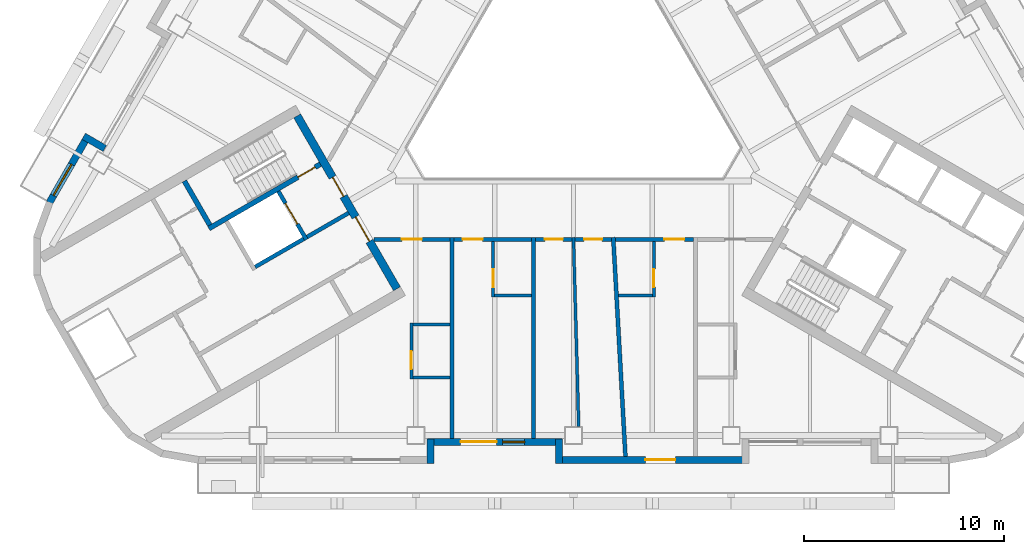
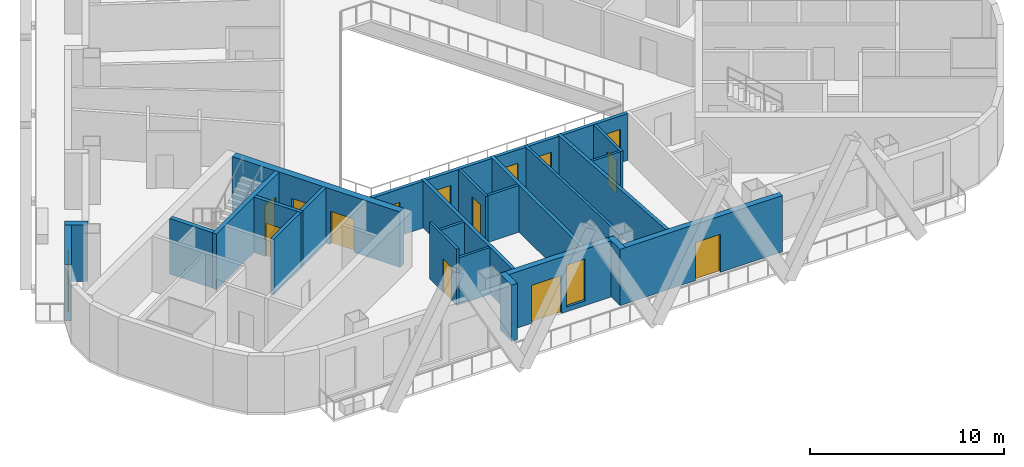
# One storey, part 3 of 14: 28 walls, 14 doors, 2 windows, 16 openings.
"""IFC4 building model written with IfcOpenShell, lengths in metres."""

from ifc_helpers import new_model, si_unit, direction, frame, frame_2d, origin, place, context, subcontext, project, spatial, rectangle, extrude, material, layer, layer_set, type_object, element, fill, save


model = new_model("IFC4")

# Units and contexts
model_context = context("Model", 3, precision=1e-05, world=origin(), true_north=direction((0.0, 1.0)))
body_context = subcontext(model_context, "Body", "Model", "MODEL_VIEW")
ifc_project = project(units=[si_unit("LENGTHUNIT", "METRE"), si_unit("AREAUNIT", "SQUARE_METRE"), si_unit("VOLUMEUNIT", "CUBIC_METRE"), si_unit("PLANEANGLEUNIT", "RADIAN"), si_unit("MASSUNIT", "GRAM", prefix="KILO")], contexts=[model_context])

# Site, building, storey
site_placement = place(None, origin())
site = spatial("IfcSite", under=ifc_project, at=site_placement, CompositionType="ELEMENT")
building_placement = place(site_placement, origin())
building = spatial("IfcBuilding", under=site, at=building_placement, Name="Apuvela Tower Hotel", CompositionType="ELEMENT")
storey_placement = place(building_placement, frame((0.0, 0.0, 90.89990234375)))
storey = spatial("IfcBuildingStorey", under=building, at=storey_placement, Name="L20", CompositionType="ELEMENT", Elevation=90.89990234375)

# Wall, openings, doors
ifc_material_1 = material(Name="Concrete C50/60", Category="concrete")
ifc_layer_1 = layer(ifc_material_1, 0.39990234375)
ifc_layer_set_1 = layer_set([ifc_layer_1], Name="COR-WALL-CORE-400")
wall_type_1 = type_object("IfcWallType", Name="COR-WALL-CORE-400", PredefinedType="SHEAR", material=ifc_layer_set_1)
wall_1_placement = place(storey_placement, frame((-13.844970703125, -2.219970703125, 0.0), z_axis=(0.0, 0.0, 1.0), x_axis=(0.500004234368, -0.866022959057, 0.0)))
wall_1 = element("IfcWall", 1, at=wall_1_placement, inside=storey, type_object=wall_type_1, Name="Core wall SW", PredefinedType="SHEAR", context=body_context, shape_type="SweptSolid", body=[
    extrude(rectangle(XDim=10.0, YDim=0.39990234375, at=frame_2d((5.0, 0.0))), origin(), (0.0, 0.0, 1.0), 3.5),
])
opening_1_placement = place(wall_1_placement, frame((3.550048828125, 0.0, 0.0)))
opening_1 = element("IfcOpeningElement", 2, at=opening_1_placement, cuts=wall_1, Name="Opening W-FD", PredefinedType="OPENING", context=body_context, shape_type="SweptSolid", body=[
    extrude(rectangle(XDim=1.10009765625, YDim=2.10009765625, at=frame_2d((0.550048828125, 1.050048828125))), frame((0.0, 0.2099609375, 0.0), z_axis=(0.0, -1.0, 0.0), x_axis=(1.0, 0.0, 0.0)), (0.0, 0.0, 1.0), 0.419921875),
])
opening_2_placement = place(wall_1_placement, frame((5.85009765625, 0.0, 0.0)))
opening_2 = element("IfcOpeningElement", 3, at=opening_2_placement, cuts=wall_1, Name="Opening W-GD", PredefinedType="OPENING", context=body_context, shape_type="SweptSolid", body=[
    extrude(rectangle(XDim=1.39990234375, YDim=2.10009765625, at=frame_2d((0.699951171875, 1.050048828125))), frame((0.0, 0.2099609375, 0.0), z_axis=(0.0, -1.0, 0.0), x_axis=(1.0, 0.0, 0.0)), (0.0, 0.0, 1.0), 0.419921875),
])
ifc_material_2 = material(Name="Steel fire door, powder coated", Category="steel")
door_type_1 = type_object("IfcDoorType", Name="COR-FD-1100", OperationType="NOTDEFINED", PredefinedType="DOOR", material=ifc_material_2)
door_1_placement = place(opening_1_placement, frame((1.10009765625, 0.0, 0.0), z_axis=(0.0, 0.0, 1.0), x_axis=(-1.0, 0.0, 0.0)))
door_1 = element("IfcDoor", 4, at=door_1_placement, inside=storey, type_object=door_type_1, Name="Firefighting lobby door W-FD", OperationType="SINGLE_SWING_LEFT", OverallHeight=2.10009765625, OverallWidth=1.10009765625, PredefinedType="DOOR", context=body_context, shape_type="SweptSolid", body=[
    extrude(rectangle(XDim=1.10009765625, YDim=2.10009765625, at=frame_2d((0.550048828125, 1.050048828125))), frame((0.0, 0.02490234375, 0.0), z_axis=(0.0, -1.0, 0.0), x_axis=(1.0, 0.0, 0.0)), (0.0, 0.0, 1.0), 0.050048828125),
])
fill(opening_1, door_1)
ifc_material_3 = material(Name="Glazed steel fire door", Category="steel")
door_type_2 = type_object("IfcDoorType", Name="COR-GD-1400", OperationType="DOUBLE_DOOR_SINGLE_SWING", PredefinedType="DOOR", material=ifc_material_3)
door_2_placement = place(opening_2_placement, frame((1.39990234375, 0.0, 0.0), z_axis=(0.0, 0.0, 1.0), x_axis=(-1.0, 0.0, 0.0)))
door_2 = element("IfcDoor", 5, at=door_2_placement, inside=storey, type_object=door_type_2, Name="Lift lobby door W-GD", OperationType="DOUBLE_DOOR_SINGLE_SWING", OverallHeight=2.10009765625, OverallWidth=1.39990234375, PredefinedType="DOOR", context=body_context, shape_type="SweptSolid", body=[
    extrude(rectangle(XDim=1.39990234375, YDim=2.10009765625, at=frame_2d((0.699951171875, 1.050048828125))), frame((0.0, 0.02490234375, 0.0), z_axis=(0.0, -1.0, 0.0), x_axis=(1.0, 0.0, 0.0)), (0.0, 0.0, 1.0), 0.050048828125),
])
fill(opening_2, door_2)

# Wall, opening, door
ifc_layer_2 = layer(ifc_material_1, 0.199951171875)
ifc_layer_set_2 = layer_set([ifc_layer_2], Name="COR-WALL-SHAFT-200")
wall_type_2 = type_object("IfcWallType", Name="COR-WALL-SHAFT-200", PredefinedType="SHEAR", material=ifc_layer_set_2)
wall_2_placement = place(storey_placement, frame((-14.783203125, -5.99462890625, 0.0), z_axis=(0.0, 0.0, 1.0), x_axis=(0.49994636267, -0.866056369097, 0.0)))
wall_2 = element("IfcWall", 6, at=wall_2_placement, inside=storey, type_object=wall_type_2, Name="Shaft wall SW", PredefinedType="SHEAR", context=body_context, shape_type="SweptSolid", body=[
    extrude(rectangle(XDim=2.800048828125, YDim=0.199951171875, at=frame_2d((1.39990234375, 0.0))), origin(), (0.0, 0.0, 1.0), 3.5),
])
opening_3_placement = place(wall_2_placement, frame((0.699951171875, 0.0, 0.0)))
opening_3 = element("IfcOpeningElement", 7, at=opening_3_placement, cuts=wall_2, Name="Opening W-LD-FS2", PredefinedType="OPENING", context=body_context, shape_type="SweptSolid", body=[
    extrude(rectangle(XDim=1.199951171875, YDim=2.10009765625, at=frame_2d((0.60009765625, 1.050048828125))), frame((0.0, 0.10986328125, 0.0), z_axis=(0.0, -1.0, 0.0), x_axis=(1.0, 0.0, 0.0)), (0.0, 0.0, 1.0), 0.219970703125),
])
ifc_material_4 = material(Name="Stainless steel lift landing door", Category="steel")
door_type_3 = type_object("IfcDoorType", Name="COR-LD-1200", OperationType="DOUBLE_DOOR_SLIDING", PredefinedType="DOOR", material=ifc_material_4)
door_3_placement = place(opening_3_placement, origin())
door_3 = element("IfcDoor", 8, at=door_3_placement, inside=storey, type_object=door_type_3, Name="Lift landing door W-LD-FS2", OperationType="DOUBLE_DOOR_SLIDING", OverallHeight=2.10009765625, OverallWidth=1.199951171875, PredefinedType="DOOR", context=body_context, shape_type="SweptSolid", body=[
    extrude(rectangle(XDim=1.199951171875, YDim=2.10009765625, at=frame_2d((0.60009765625, 1.050048828125))), frame((0.0, 0.02490234375, 0.0), z_axis=(0.0, -1.0, 0.0), x_axis=(1.0, 0.0, 0.0)), (0.0, 0.0, 1.0), 0.050048828125),
])
fill(opening_3, door_3)

# Walls
wall_3_placement = place(storey_placement, frame((-13.519775390625, -8.383056640625, 0.0), z_axis=(0.0, 0.0, 1.0), x_axis=(-0.866034573852, -0.49998411664, 0.0)))
element("IfcWall", 9, at=wall_3_placement, inside=storey, type_object=wall_type_2, Name="Shaft wall SW", PredefinedType="SHEAR", context=body_context, shape_type="SweptSolid", body=[
    extrude(rectangle(XDim=2.7998046875, YDim=0.199951171875, at=frame_2d((1.39990234375, 0.0))), origin(), (0.0, 0.0, 1.0), 3.5),
])
wall_4_placement = place(storey_placement, frame((-11.26806640625, -7.0830078125, 0.0), z_axis=(0.0, 0.0, 1.0), x_axis=(-0.866050077142, -0.499957262057, 0.0)))
element("IfcWall", 10, at=wall_4_placement, inside=storey, type_object=wall_type_2, Name="Shaft wall SW", PredefinedType="SHEAR", context=body_context, shape_type="SweptSolid", body=[
    extrude(rectangle(XDim=2.400146484375, YDim=0.199951171875, at=frame_2d((1.2001953125, 0.0))), origin(), (0.0, 0.0, 1.0), 3.5),
])

# Wall, opening, door
ifc_layer_3 = layer(ifc_material_1, 0.25)
ifc_layer_set_3 = layer_set([ifc_layer_3], Name="COR-WALL-STAIR-250")
wall_type_3 = type_object("IfcWallType", Name="COR-WALL-STAIR-250", PredefinedType="SHEAR", material=ifc_layer_set_3)
wall_5_placement = place(storey_placement, frame((-12.6806640625, -4.636474609375, 0.0), z_axis=(0.0, 0.0, 1.0), x_axis=(-0.866021702275, -0.500006411147, 0.0)))
wall_5 = element("IfcWall", 11, at=wall_5_placement, inside=storey, type_object=wall_type_3, Name="Stair wall SW", PredefinedType="SHEAR", context=body_context, shape_type="SweptSolid", body=[
    extrude(rectangle(XDim=6.4501953125, YDim=0.25, at=frame_2d((3.22509765625, 0.0))), origin(), (0.0, 0.0, 1.0), 3.5),
])
opening_4_placement = place(wall_5_placement, frame((0.300048828125, 0.0, 0.0)))
opening_4 = element("IfcOpeningElement", 12, at=opening_4_placement, cuts=wall_5, Name="Opening W-SD", PredefinedType="OPENING", context=body_context, shape_type="SweptSolid", body=[
    extrude(rectangle(XDim=1.0, YDim=2.10009765625, at=frame_2d((0.5, 1.050048828125))), frame((0.0, 0.135009765625, 0.0), z_axis=(0.0, -1.0, 0.0), x_axis=(1.0, 0.0, 0.0)), (0.0, 0.0, 1.0), 0.27001953125),
])
door_type_4 = type_object("IfcDoorType", Name="COR-SD-1000", OperationType="NOTDEFINED", PredefinedType="DOOR", material=ifc_material_2)
door_4_placement = place(opening_4_placement, frame((1.0, 0.0, 0.0), z_axis=(0.0, 0.0, 1.0), x_axis=(-1.0, 0.0, 0.0)))
door_4 = element("IfcDoor", 13, at=door_4_placement, inside=storey, type_object=door_type_4, Name="Stair door W-SD", OperationType="SINGLE_SWING_LEFT", OverallHeight=2.10009765625, OverallWidth=1.0, PredefinedType="DOOR", context=body_context, shape_type="SweptSolid", body=[
    extrude(rectangle(XDim=1.0, YDim=2.10009765625, at=frame_2d((0.5, 1.050048828125))), frame((0.0, 0.02490234375, 0.0), z_axis=(0.0, -1.0, 0.0), x_axis=(1.0, 0.0, 0.0)), (0.0, 0.0, 1.0), 0.050048828125),
])
fill(opening_4, door_4)

# Walls
wall_6_placement = place(storey_placement, frame((-19.49560546875, -5.482421875, 0.0), z_axis=(0.0, 0.0, 1.0), x_axis=(0.499990435942, -0.866030925526, 0.0)))
element("IfcWall", 14, at=wall_6_placement, inside=storey, type_object=wall_type_3, Name="Stair wall SW", PredefinedType="SHEAR", context=body_context, shape_type="SweptSolid", body=[
    extrude(rectangle(XDim=2.5498046875, YDim=0.25, at=frame_2d((1.27490234375, 0.0))), origin(), (0.0, 0.0, 1.0), 3.5),
])
ifc_material_5 = material(Name="Concrete C40/50, dark pigmented precast panel", Category="concrete")
ifc_layer_4 = layer(ifc_material_5, 0.35009765625)
ifc_layer_set_4 = layer_set([ifc_layer_4], Name="ENV-WALL-350")
wall_type_4 = type_object("IfcWallType", Name="ENV-WALL-350", PredefinedType="SOLIDWALL", material=ifc_layer_set_4)
wall_7_placement = place(storey_placement, frame((-23.48095703125, -3.85009765625, 0.0), z_axis=(0.0, 0.0, 1.0), x_axis=(-0.866092288191, 0.499884134912, 0.0)))
element("IfcWall", 15, at=wall_7_placement, inside=storey, type_object=wall_type_4, Name="External wall L20-08", PredefinedType="SOLIDWALL", context=body_context, shape_type="SweptSolid", body=[
    extrude(rectangle(XDim=1.219970703125, YDim=0.35009765625, at=frame_2d((0.60986328125, 0.0))), origin(), (0.0, 0.0, 1.0), 3.550048828125),
])

# Wall, opening, window
wall_8_placement = place(storey_placement, frame((-24.298583984375, -3.17626953125, 0.0), z_axis=(0.0, 0.0, 1.0), x_axis=(-0.500028278809, -0.866009076391, 0.0)))
wall_8 = element("IfcWall", 16, at=wall_8_placement, inside=storey, type_object=wall_type_4, Name="External wall L20-09", PredefinedType="SOLIDWALL", context=body_context, shape_type="SweptSolid", body=[
    extrude(rectangle(XDim=3.915771484375, YDim=0.35009765625, at=frame_2d((1.9580078125, 0.0))), origin(), (0.0, 0.0, 1.0), 3.550048828125),
])
opening_5_placement = place(wall_8_placement, frame((1.699951171875, 0.0, 0.300048828125)))
opening_5 = element("IfcOpeningElement", 17, at=opening_5_placement, cuts=wall_8, Name="Opening WN18", PredefinedType="OPENING", context=body_context, shape_type="SweptSolid", body=[
    extrude(rectangle(XDim=1.800048828125, YDim=2.64990234375, at=frame_2d((0.89990234375, 1.324951171875))), frame((0.0, 0.18505859375, 0.0), z_axis=(0.0, -1.0, 0.0), x_axis=(1.0, 0.0, 0.0)), (0.0, 0.0, 1.0), 0.3701171875),
])
ifc_material_6 = material(Name="Glass, dark tinted laminated insulated glazing unit", Category="glass")
window_type_1 = type_object("IfcWindowType", Name="ENV-WIN-1800x2650", PartitioningType="SINGLE_PANEL", PredefinedType="WINDOW", material=ifc_material_6)
window_1_placement = place(opening_5_placement, origin())
window_1 = element("IfcWindow", 18, at=window_1_placement, inside=storey, type_object=window_type_1, Name="Window WN18", OverallHeight=2.64990234375, OverallWidth=1.800048828125, PartitioningType="SINGLE_PANEL", PredefinedType="WINDOW", context=body_context, shape_type="SweptSolid", body=[
    extrude(rectangle(XDim=1.800048828125, YDim=2.64990234375, at=frame_2d((0.89990234375, 1.324951171875))), frame((0.0, 0.030029296875, 0.0), z_axis=(0.0, -1.0, 0.0), x_axis=(1.0, 0.0, 0.0)), (0.0, 0.0, 1.0), 0.06005859375),
])
fill(opening_5, window_1)

# Wall
wall_9_placement = place(storey_placement, frame((-7.175048828125, -19.6298828125, 0.0), z_axis=(0.0, 0.0, 1.0), x_axis=(0.0, 1.0, 0.0)))
element("IfcWall", 19, at=wall_9_placement, inside=storey, type_object=wall_type_4, Name="External wall L20-18", PredefinedType="SOLIDWALL", context=body_context, shape_type="SweptSolid", body=[
    extrude(rectangle(XDim=1.219970703125, YDim=0.35009765625, at=frame_2d((0.60986328125, 0.0))), origin(), (0.0, 0.0, 1.0), 3.550048828125),
])

# Wall, openings, door, window
wall_10_placement = place(storey_placement, frame((-7.320068359375, -18.554931640625, 0.0), z_axis=(0.0, 0.0, 1.0), x_axis=(1.0, 0.0, 0.0)))
wall_10 = element("IfcWall", 20, at=wall_10_placement, inside=storey, type_object=wall_type_4, Name="External wall L20-19", PredefinedType="SOLIDWALL", context=body_context, shape_type="SweptSolid", body=[
    extrude(rectangle(XDim=6.739990234375, YDim=0.35009765625, at=frame_2d((3.3701171875, 0.0))), origin(), (0.0, 0.0, 1.0), 3.550048828125),
])
opening_6_placement = place(wall_10_placement, frame((1.669921875, 0.0, 0.0)))
opening_6 = element("IfcOpeningElement", 21, at=opening_6_placement, cuts=wall_10, Name="Opening BD18", PredefinedType="OPENING", context=body_context, shape_type="SweptSolid", body=[
    extrude(rectangle(XDim=1.800048828125, YDim=2.39990234375, at=frame_2d((0.89990234375, 1.199951171875))), frame((0.0, 0.18505859375, 0.0), z_axis=(0.0, -1.0, 0.0), x_axis=(1.0, 0.0, 0.0)), (0.0, 0.0, 1.0), 0.3701171875),
])
opening_7_placement = place(wall_10_placement, frame((3.77001953125, 0.0, 0.300048828125)))
opening_7 = element("IfcOpeningElement", 22, at=opening_7_placement, cuts=wall_10, Name="Opening WN11", PredefinedType="OPENING", context=body_context, shape_type="SweptSolid", body=[
    extrude(rectangle(XDim=1.10009765625, YDim=2.64990234375, at=frame_2d((0.550048828125, 1.324951171875))), frame((0.0, 0.18505859375, 0.0), z_axis=(0.0, -1.0, 0.0), x_axis=(1.0, 0.0, 0.0)), (0.0, 0.0, 1.0), 0.3701171875),
])
ifc_material_7 = material(Name="Aluminium 6063-T6, dark bronze anodised frame with dark tinted laminated glass", Category="aluminium")
door_type_5 = type_object("IfcDoorType", Name="ENV-DOOR-BALCONY-1800x2400", OperationType="SLIDING_TO_LEFT", PredefinedType="DOOR", material=ifc_material_7)
door_5_placement = place(opening_6_placement, frame((1.800048828125, 0.0, 0.0), z_axis=(0.0, 0.0, 1.0), x_axis=(-1.0, 0.0, 0.0)))
door_5 = element("IfcDoor", 23, at=door_5_placement, inside=storey, type_object=door_type_5, Name="Balcony door BD18", OperationType="SLIDING_TO_LEFT", OverallHeight=2.39990234375, OverallWidth=1.800048828125, PredefinedType="DOOR", context=body_context, shape_type="SweptSolid", body=[
    extrude(rectangle(XDim=1.800048828125, YDim=2.39990234375, at=frame_2d((0.89990234375, 1.199951171875))), frame((0.0, 0.02490234375, 0.0), z_axis=(0.0, -1.0, 0.0), x_axis=(1.0, 0.0, 0.0)), (0.0, 0.0, 1.0), 0.050048828125),
])
fill(opening_6, door_5)
window_type_2 = type_object("IfcWindowType", Name="ENV-WIN-1100x2650", PartitioningType="SINGLE_PANEL", PredefinedType="WINDOW", material=ifc_material_6)
window_2_placement = place(opening_7_placement, origin())
window_2 = element("IfcWindow", 24, at=window_2_placement, inside=storey, type_object=window_type_2, Name="Window WN11", OverallHeight=2.64990234375, OverallWidth=1.10009765625, PartitioningType="SINGLE_PANEL", PredefinedType="WINDOW", context=body_context, shape_type="SweptSolid", body=[
    extrude(rectangle(XDim=1.10009765625, YDim=2.64990234375, at=frame_2d((0.550048828125, 1.324951171875))), frame((0.0, 0.030029296875, 0.0), z_axis=(0.0, -1.0, 0.0), x_axis=(1.0, 0.0, 0.0)), (0.0, 0.0, 1.0), 0.06005859375),
])
fill(opening_7, window_2)

# Wall
wall_11_placement = place(storey_placement, frame((-0.72509765625, -18.409912109375, 0.0), z_axis=(0.0, 0.0, 1.0), x_axis=(0.0, -1.0, 0.0)))
element("IfcWall", 25, at=wall_11_placement, inside=storey, type_object=wall_type_4, Name="External wall L20-20", PredefinedType="SOLIDWALL", context=body_context, shape_type="SweptSolid", body=[
    extrude(rectangle(XDim=1.219970703125, YDim=0.35009765625, at=frame_2d((0.60986328125, 0.0))), origin(), (0.0, 0.0, 1.0), 3.550048828125),
])

# Wall, opening, door
wall_12_placement = place(storey_placement, frame((-0.89990234375, -19.455078125, 0.0), z_axis=(0.0, 0.0, 1.0), x_axis=(1.0, 0.0, 0.0)))
wall_12 = element("IfcWall", 26, at=wall_12_placement, inside=storey, type_object=wall_type_4, Name="External wall L20-21", PredefinedType="SOLIDWALL", context=body_context, shape_type="SweptSolid", body=[
    extrude(rectangle(XDim=9.699951171875, YDim=0.35009765625, at=frame_2d((4.85009765625, 0.0))), origin(), (0.0, 0.0, 1.0), 3.550048828125),
])
opening_8_placement = place(wall_12_placement, frame((4.5, 0.0, 0.0)))
opening_8 = element("IfcOpeningElement", 27, at=opening_8_placement, cuts=wall_12, Name="Opening BD15", PredefinedType="OPENING", context=body_context, shape_type="SweptSolid", body=[
    extrude(rectangle(XDim=1.5, YDim=2.39990234375, at=frame_2d((0.75, 1.199951171875))), frame((0.0, 0.18505859375, 0.0), z_axis=(0.0, -1.0, 0.0), x_axis=(1.0, 0.0, 0.0)), (0.0, 0.0, 1.0), 0.3701171875),
])
door_type_6 = type_object("IfcDoorType", Name="ENV-DOOR-BALCONY-1500x2400", OperationType="SLIDING_TO_LEFT", PredefinedType="DOOR", material=ifc_material_7)
door_6_placement = place(opening_8_placement, frame((1.5, 0.0, 0.0), z_axis=(0.0, 0.0, 1.0), x_axis=(-1.0, 0.0, 0.0)))
door_6 = element("IfcDoor", 28, at=door_6_placement, inside=storey, type_object=door_type_6, Name="Balcony door BD15", OperationType="SLIDING_TO_LEFT", OverallHeight=2.39990234375, OverallWidth=1.5, PredefinedType="DOOR", context=body_context, shape_type="SweptSolid", body=[
    extrude(rectangle(XDim=1.5, YDim=2.39990234375, at=frame_2d((0.75, 1.199951171875))), frame((0.0, 0.02490234375, 0.0), z_axis=(0.0, -1.0, 0.0), x_axis=(1.0, 0.0, 0.0)), (0.0, 0.0, 1.0), 0.050048828125),
])
fill(opening_8, door_6)

# Walls
ifc_material_8 = material(Name="Gypsum board partition on twin steel stud", Category="steel")
ifc_layer_5 = layer(ifc_material_8, 0.199951171875)
ifc_layer_set_5 = layer_set([ifc_layer_5], Name="GST-PW1")
wall_type_5 = type_object("IfcWallType", Name="GST-PW1", PredefinedType="PARTITIONING", material=ifc_layer_set_5)
for number, where, z_axis, x_axis, name in (
    (29, (-6.10009765625, -18.3798828125, 0.0), (0.0, 0.0, 1.0), (0.0, 1.0, 0.0), "L20 partition 01"),
    (30, (-2.0, -18.3798828125, 0.0), (0.0, 0.0, 1.0), (0.0, 1.0, 0.0), "L20 partition 02"),
):
    element("IfcWall", number, at=place(storey_placement, frame(where, z_axis=z_axis, x_axis=x_axis)), inside=storey, type_object=wall_type_5, Name=name, PredefinedType="PARTITIONING", context=body_context, shape_type="SweptSolid", body=[
        extrude(rectangle(XDim=10.079833984375, YDim=0.199951171875, at=frame_2d((5.0400390625, 0.0))), origin(), (0.0, 0.0, 1.0), 2.960205078125),
    ])
wall_13_placement = place(storey_placement, frame((2.60009765625, -19.280029296875, 0.0), z_axis=(0.0, 0.0, 1.0), x_axis=(-0.055568385591, 0.998454883569, 0.0)))
element("IfcWall", 31, at=wall_13_placement, inside=storey, type_object=wall_type_5, Name="L20 partition 03", PredefinedType="PARTITIONING", context=body_context, shape_type="SweptSolid", body=[
    extrude(rectangle(XDim=10.9970703125, YDim=0.199951171875, at=frame_2d((5.49853515625, 0.0))), origin(), (0.0, 0.0, 1.0), 2.960205078125),
])

# Wall, opening, door
ifc_material_9 = material(Name="Gypsum board corridor wall on twin steel stud, acoustic", Category="steel")
ifc_layer_6 = layer(ifc_material_9, 0.199951171875)
ifc_layer_set_6 = layer_set([ifc_layer_6], Name="GST-PW2")
wall_type_6 = type_object("IfcWallType", Name="GST-PW2", PredefinedType="PARTITIONING", material=ifc_layer_set_6)
wall_14_placement = place(storey_placement, frame((-6.199951171875, -8.39990234375, 0.0), z_axis=(0.0, 0.0, 1.0), x_axis=(-1.0, 0.0, 0.0)))
wall_14 = element("IfcWall", 32, at=wall_14_placement, inside=storey, type_object=wall_type_6, Name="L20 partition 11", PredefinedType="PARTITIONING", context=body_context, shape_type="SweptSolid", body=[
    extrude(rectangle(XDim=3.788330078125, YDim=0.199951171875, at=frame_2d((1.89404296875, 0.0))), origin(), (0.0, 0.0, 1.0), 2.9501953125),
])
opening_9_placement = place(wall_14_placement, frame((1.39404296875, 0.0, 0.0)))
opening_9 = element("IfcOpeningElement", 33, at=opening_9_placement, cuts=wall_14, Name="Opening GD06-02", PredefinedType="OPENING", context=body_context, shape_type="SweptSolid", body=[
    extrude(rectangle(XDim=1.0, YDim=2.10009765625, at=frame_2d((0.5, 1.050048828125))), frame((0.0, 0.10986328125, 0.0), z_axis=(0.0, -1.0, 0.0), x_axis=(1.0, 0.0, 0.0)), (0.0, 0.0, 1.0), 0.219970703125),
])
ifc_material_10 = material(Name="Timber door leaf in steel frame", Category="steel")
door_type_7 = type_object("IfcDoorType", Name="GST-D1", OperationType="NOTDEFINED", PredefinedType="DOOR", material=ifc_material_10)
door_7_placement = place(opening_9_placement, origin())
door_7 = element("IfcDoor", 34, at=door_7_placement, inside=storey, type_object=door_type_7, Name="Door L20-02", OperationType="SINGLE_SWING_LEFT", OverallHeight=2.10009765625, OverallWidth=1.0, PredefinedType="DOOR", context=body_context, shape_type="SweptSolid", body=[
    extrude(rectangle(XDim=1.0, YDim=2.10009765625, at=frame_2d((0.5, 1.050048828125))), frame((0.0, 0.02490234375, 0.0), z_axis=(0.0, -1.0, 0.0), x_axis=(1.0, 0.0, 0.0)), (0.0, 0.0, 1.0), 0.050048828125),
])
fill(opening_9, door_7)

wall_15_placement = place(storey_placement, frame((-2.10009765625, -8.39990234375, 0.0), z_axis=(0.0, 0.0, 1.0), x_axis=(-1.0, 0.0, 0.0)))
wall_15 = element("IfcWall", 35, at=wall_15_placement, inside=storey, type_object=wall_type_6, Name="L20 partition 15", PredefinedType="PARTITIONING", context=body_context, shape_type="SweptSolid", body=[
    extrude(rectangle(XDim=3.89990234375, YDim=0.199951171875, at=frame_2d((1.949951171875, 0.0))), origin(), (0.0, 0.0, 1.0), 2.9501953125),
])
opening_10_placement = place(wall_15_placement, frame((2.449951171875, 0.0, 0.0)))
opening_10 = element("IfcOpeningElement", 36, at=opening_10_placement, cuts=wall_15, Name="Opening GD06-04", PredefinedType="OPENING", context=body_context, shape_type="SweptSolid", body=[
    extrude(rectangle(XDim=1.0, YDim=2.10009765625, at=frame_2d((0.5, 1.050048828125))), frame((0.0, 0.10986328125, 0.0), z_axis=(0.0, -1.0, 0.0), x_axis=(1.0, 0.0, 0.0)), (0.0, 0.0, 1.0), 0.219970703125),
])
door_8_placement = place(opening_10_placement, origin())
door_8 = element("IfcDoor", 37, at=door_8_placement, inside=storey, type_object=door_type_7, Name="Door L20-04", OperationType="SINGLE_SWING_RIGHT", OverallHeight=2.10009765625, OverallWidth=1.0, PredefinedType="DOOR", context=body_context, shape_type="SweptSolid", body=[
    extrude(rectangle(XDim=1.0, YDim=2.10009765625, at=frame_2d((0.5, 1.050048828125))), frame((0.0, 0.02490234375, 0.0), z_axis=(0.0, -1.0, 0.0), x_axis=(1.0, 0.0, 0.0)), (0.0, 0.0, 1.0), 0.050048828125),
])
fill(opening_10, door_8)

wall_16_placement = place(storey_placement, frame((-0.077880859375, -8.39990234375, 0.0), z_axis=(0.0, 0.0, 1.0), x_axis=(-1.0, 0.0, 0.0)))
wall_16 = element("IfcWall", 38, at=wall_16_placement, inside=storey, type_object=wall_type_6, Name="L20 partition 19", PredefinedType="PARTITIONING", context=body_context, shape_type="SweptSolid", body=[
    extrude(rectangle(XDim=1.822021484375, YDim=0.199951171875, at=frame_2d((0.9111328125, 0.0))), origin(), (0.0, 0.0, 1.0), 2.9501953125),
])
opening_11_placement = place(wall_16_placement, frame((0.461181640625, 0.0, 0.0)))
opening_11 = element("IfcOpeningElement", 39, at=opening_11_placement, cuts=wall_16, Name="Opening GD06-05", PredefinedType="OPENING", context=body_context, shape_type="SweptSolid", body=[
    extrude(rectangle(XDim=0.89990234375, YDim=2.10009765625, at=frame_2d((0.449951171875, 1.050048828125))), frame((0.0, 0.10986328125, 0.0), z_axis=(0.0, -1.0, 0.0), x_axis=(1.0, 0.0, 0.0)), (0.0, 0.0, 1.0), 0.219970703125),
])
door_type_8 = type_object("IfcDoorType", Name="GST-D2", OperationType="NOTDEFINED", PredefinedType="DOOR", material=ifc_material_10)
door_9_placement = place(opening_11_placement, origin())
door_9 = element("IfcDoor", 40, at=door_9_placement, inside=storey, type_object=door_type_8, Name="Door L20-05", OperationType="SINGLE_SWING_LEFT", OverallHeight=2.10009765625, OverallWidth=0.89990234375, PredefinedType="DOOR", context=body_context, shape_type="SweptSolid", body=[
    extrude(rectangle(XDim=0.89990234375, YDim=2.10009765625, at=frame_2d((0.449951171875, 1.050048828125))), frame((0.0, 0.02490234375, 0.0), z_axis=(0.0, -1.0, 0.0), x_axis=(1.0, 0.0, 0.0)), (0.0, 0.0, 1.0), 0.050048828125),
])
fill(opening_11, door_9)

wall_17_placement = place(storey_placement, frame((1.894287109375, -8.39990234375, 0.0), z_axis=(0.0, 0.0, 1.0), x_axis=(-1.0, 0.0, 0.0)))
wall_17 = element("IfcWall", 41, at=wall_17_placement, inside=storey, type_object=wall_type_6, Name="L20 partition 20", PredefinedType="PARTITIONING", context=body_context, shape_type="SweptSolid", body=[
    extrude(rectangle(XDim=1.822021484375, YDim=0.199951171875, at=frame_2d((0.9111328125, 0.0))), origin(), (0.0, 0.0, 1.0), 2.9501953125),
])
opening_12_placement = place(wall_17_placement, frame((0.461181640625, 0.0, 0.0)))
opening_12 = element("IfcOpeningElement", 42, at=opening_12_placement, cuts=wall_17, Name="Opening GD06-06", PredefinedType="OPENING", context=body_context, shape_type="SweptSolid", body=[
    extrude(rectangle(XDim=0.89990234375, YDim=2.10009765625, at=frame_2d((0.449951171875, 1.050048828125))), frame((0.0, 0.10986328125, 0.0), z_axis=(0.0, -1.0, 0.0), x_axis=(1.0, 0.0, 0.0)), (0.0, 0.0, 1.0), 0.219970703125),
])
door_10_placement = place(opening_12_placement, origin())
door_10 = element("IfcDoor", 43, at=door_10_placement, inside=storey, type_object=door_type_8, Name="Door L20-06", OperationType="SINGLE_SWING_RIGHT", OverallHeight=2.10009765625, OverallWidth=0.89990234375, PredefinedType="DOOR", context=body_context, shape_type="SweptSolid", body=[
    extrude(rectangle(XDim=0.89990234375, YDim=2.10009765625, at=frame_2d((0.449951171875, 1.050048828125))), frame((0.0, 0.02490234375, 0.0), z_axis=(0.0, -1.0, 0.0), x_axis=(1.0, 0.0, 0.0)), (0.0, 0.0, 1.0), 0.050048828125),
])
fill(opening_12, door_10)

wall_18_placement = place(storey_placement, frame((6.0, -8.39990234375, 0.0), z_axis=(0.0, 0.0, 1.0), x_axis=(-1.0, 0.0, 0.0)))
wall_18 = element("IfcWall", 44, at=wall_18_placement, inside=storey, type_object=wall_type_6, Name="L20 partition 21", PredefinedType="PARTITIONING", context=body_context, shape_type="SweptSolid", body=[
    extrude(rectangle(XDim=3.905517578125, YDim=0.199951171875, at=frame_2d((1.95263671875, 0.0))), origin(), (0.0, 0.0, 1.0), 2.9501953125),
])
opening_13_placement = place(wall_18_placement, frame((0.449951171875, 0.0, 0.0)))
opening_13 = element("IfcOpeningElement", 45, at=opening_13_placement, cuts=wall_18, Name="Opening GD06-08", PredefinedType="OPENING", context=body_context, shape_type="SweptSolid", body=[
    extrude(rectangle(XDim=1.0, YDim=2.10009765625, at=frame_2d((0.5, 1.050048828125))), frame((0.0, 0.10986328125, 0.0), z_axis=(0.0, -1.0, 0.0), x_axis=(1.0, 0.0, 0.0)), (0.0, 0.0, 1.0), 0.219970703125),
])
door_11_placement = place(opening_13_placement, origin())
door_11 = element("IfcDoor", 46, at=door_11_placement, inside=storey, type_object=door_type_7, Name="Door L20-08", OperationType="SINGLE_SWING_LEFT", OverallHeight=2.10009765625, OverallWidth=1.0, PredefinedType="DOOR", context=body_context, shape_type="SweptSolid", body=[
    extrude(rectangle(XDim=1.0, YDim=2.10009765625, at=frame_2d((0.5, 1.050048828125))), frame((0.0, 0.02490234375, 0.0), z_axis=(0.0, -1.0, 0.0), x_axis=(1.0, 0.0, 0.0)), (0.0, 0.0, 1.0), 0.050048828125),
])
fill(opening_13, door_11)

ifc_material_11 = material(Name="Moisture-resistant gypsum board wet wall on steel stud", Category="steel")
ifc_layer_7 = layer(ifc_material_11, 0.14990234375)
ifc_layer_set_7 = layer_set([ifc_layer_7], Name="GST-PW3")
wall_type_7 = type_object("IfcWallType", Name="GST-PW3", PredefinedType="PARTITIONING", material=ifc_layer_set_7)
wall_19_placement = place(storey_placement, frame((-8.125, -12.60009765625, 0.0), z_axis=(0.0, 0.0, 1.0), x_axis=(0.0, -1.0, 0.0)))
wall_19 = element("IfcWall", 47, at=wall_19_placement, inside=storey, type_object=wall_type_7, Name="L20 partition 12", PredefinedType="PARTITIONING", context=body_context, shape_type="SweptSolid", body=[
    extrude(rectangle(XDim=2.7998046875, YDim=0.14990234375, at=frame_2d((1.39990234375, 0.0))), origin(), (0.0, 0.0, 1.0), 3.550048828125),
])
opening_14_placement = place(wall_19_placement, frame((1.39990234375, 0.0, 0.0)))
opening_14 = element("IfcOpeningElement", 48, at=opening_14_placement, cuts=wall_19, Name="Opening GD06-01", PredefinedType="OPENING", context=body_context, shape_type="SweptSolid", body=[
    extrude(rectangle(XDim=0.89990234375, YDim=2.10009765625, at=frame_2d((0.449951171875, 1.050048828125))), frame((0.0, 0.0849609375, 0.0), z_axis=(0.0, -1.0, 0.0), x_axis=(1.0, 0.0, 0.0)), (0.0, 0.0, 1.0), 0.169921875),
])
door_12_placement = place(opening_14_placement, origin())
door_12 = element("IfcDoor", 49, at=door_12_placement, inside=storey, type_object=door_type_8, Name="Door L20-01", OperationType="SINGLE_SWING_RIGHT", OverallHeight=2.10009765625, OverallWidth=0.89990234375, PredefinedType="DOOR", context=body_context, shape_type="SweptSolid", body=[
    extrude(rectangle(XDim=0.89990234375, YDim=2.10009765625, at=frame_2d((0.449951171875, 1.050048828125))), frame((0.0, 0.02490234375, 0.0), z_axis=(0.0, -1.0, 0.0), x_axis=(1.0, 0.0, 0.0)), (0.0, 0.0, 1.0), 0.050048828125),
])
fill(opening_14, door_12)

# Walls
for number, where, z_axis, x_axis, name in (
    (50, (-8.050048828125, -15.324951171875, 0.0), (0.0, 0.0, 1.0), (1.0, 0.0, 0.0), "L20 partition 13"),
    (51, (-8.050048828125, -12.675048828125, 0.0), (0.0, 0.0, 1.0), (1.0, 0.0, 0.0), "L20 partition 14"),
):
    element("IfcWall", number, at=place(storey_placement, frame(where, z_axis=z_axis, x_axis=x_axis)), inside=storey, type_object=wall_type_7, Name=name, PredefinedType="PARTITIONING", context=body_context, shape_type="SweptSolid", body=[
        extrude(rectangle(XDim=1.85009765625, YDim=0.14990234375, at=frame_2d((0.925048828125, 0.0))), origin(), (0.0, 0.0, 1.0), 2.9501953125),
    ])

# Wall, opening, door
wall_20_placement = place(storey_placement, frame((-4.02490234375, -8.5, 0.0), z_axis=(0.0, 0.0, 1.0), x_axis=(0.0, -1.0, 0.0)))
wall_20 = element("IfcWall", 52, at=wall_20_placement, inside=storey, type_object=wall_type_7, Name="L20 partition 16", PredefinedType="PARTITIONING", context=body_context, shape_type="SweptSolid", body=[
    extrude(rectangle(XDim=2.800048828125, YDim=0.14990234375, at=frame_2d((1.39990234375, 0.0))), origin(), (0.0, 0.0, 1.0), 2.9501953125),
])
opening_15_placement = place(wall_20_placement, frame((1.39990234375, 0.0, 0.0)))
opening_15 = element("IfcOpeningElement", 53, at=opening_15_placement, cuts=wall_20, Name="Opening GD06-03", PredefinedType="OPENING", context=body_context, shape_type="SweptSolid", body=[
    extrude(rectangle(XDim=0.89990234375, YDim=2.10009765625, at=frame_2d((0.449951171875, 1.050048828125))), frame((0.0, 0.0849609375, 0.0), z_axis=(0.0, -1.0, 0.0), x_axis=(1.0, 0.0, 0.0)), (0.0, 0.0, 1.0), 0.169921875),
])
door_13_placement = place(opening_15_placement, origin())
door_13 = element("IfcDoor", 54, at=door_13_placement, inside=storey, type_object=door_type_8, Name="Door L20-03", OperationType="SINGLE_SWING_RIGHT", OverallHeight=2.10009765625, OverallWidth=0.89990234375, PredefinedType="DOOR", context=body_context, shape_type="SweptSolid", body=[
    extrude(rectangle(XDim=0.89990234375, YDim=2.10009765625, at=frame_2d((0.449951171875, 1.050048828125))), frame((0.0, 0.02490234375, 0.0), z_axis=(0.0, -1.0, 0.0), x_axis=(1.0, 0.0, 0.0)), (0.0, 0.0, 1.0), 0.050048828125),
])
fill(opening_15, door_13)

# Walls
wall_21_placement = place(storey_placement, frame((-3.949951171875, -11.22509765625, 0.0), z_axis=(0.0, 0.0, 1.0), x_axis=(1.0, 0.0, 0.0)))
element("IfcWall", 55, at=wall_21_placement, inside=storey, type_object=wall_type_7, Name="L20 partition 17", PredefinedType="PARTITIONING", context=body_context, shape_type="SweptSolid", body=[
    extrude(rectangle(XDim=1.849853515625, YDim=0.14990234375, at=frame_2d((0.9248046875, 0.0))), origin(), (0.0, 0.0, 1.0), 2.9501953125),
])
wall_22_placement = place(storey_placement, frame((0.25830078125, -17.780029296875, 0.0), z_axis=(0.0, 0.0, 1.0), x_axis=(-0.027828517679, 0.999612711806, 0.0)))
element("IfcWall", 56, at=wall_22_placement, inside=storey, type_object=wall_type_7, Name="L20 partition 18", PredefinedType="PARTITIONING", context=body_context, shape_type="SweptSolid", body=[
    extrude(rectangle(XDim=9.483642578125, YDim=0.14990234375, at=frame_2d((4.74169921875, 0.0))), origin(), (0.0, 0.0, 1.0), 2.9501953125),
])

# Wall, opening, door
wall_23_placement = place(storey_placement, frame((4.025146484375, -11.300048828125, 0.0), z_axis=(0.0, 0.0, 1.0), x_axis=(0.0, 1.0, 0.0)))
wall_23 = element("IfcWall", 57, at=wall_23_placement, inside=storey, type_object=wall_type_7, Name="L20 partition 22", PredefinedType="PARTITIONING", context=body_context, shape_type="SweptSolid", body=[
    extrude(rectangle(XDim=2.800048828125, YDim=0.14990234375, at=frame_2d((1.39990234375, 0.0))), origin(), (0.0, 0.0, 1.0), 2.9501953125),
])
opening_16_placement = place(wall_23_placement, frame((0.5, 0.0, 0.0)))
opening_16 = element("IfcOpeningElement", 58, at=opening_16_placement, cuts=wall_23, Name="Opening GD06-07", PredefinedType="OPENING", context=body_context, shape_type="SweptSolid", body=[
    extrude(rectangle(XDim=0.89990234375, YDim=2.10009765625, at=frame_2d((0.449951171875, 1.050048828125))), frame((0.0, 0.0849609375, 0.0), z_axis=(0.0, -1.0, 0.0), x_axis=(1.0, 0.0, 0.0)), (0.0, 0.0, 1.0), 0.169921875),
])
door_14_placement = place(opening_16_placement, origin())
door_14 = element("IfcDoor", 59, at=door_14_placement, inside=storey, type_object=door_type_8, Name="Door L20-07", OperationType="SINGLE_SWING_LEFT", OverallHeight=2.10009765625, OverallWidth=0.89990234375, PredefinedType="DOOR", context=body_context, shape_type="SweptSolid", body=[
    extrude(rectangle(XDim=0.89990234375, YDim=2.10009765625, at=frame_2d((0.449951171875, 1.050048828125))), frame((0.0, 0.02490234375, 0.0), z_axis=(0.0, -1.0, 0.0), x_axis=(1.0, 0.0, 0.0)), (0.0, 0.0, 1.0), 0.050048828125),
])
fill(opening_16, door_14)

# Wall
wall_24_placement = place(storey_placement, frame((2.251708984375, -11.22509765625, 0.0), z_axis=(0.0, 0.0, 1.0), x_axis=(1.0, 0.0, 0.0)))
element("IfcWall", 60, at=wall_24_placement, inside=storey, type_object=wall_type_7, Name="L20 partition 23", PredefinedType="PARTITIONING", context=body_context, shape_type="SweptSolid", body=[
    extrude(rectangle(XDim=1.698486328125, YDim=0.14990234375, at=frame_2d((0.84912109375, 0.0))), origin(), (0.0, 0.0, 1.0), 2.9501953125),
])

save(model, "model.ifc")
